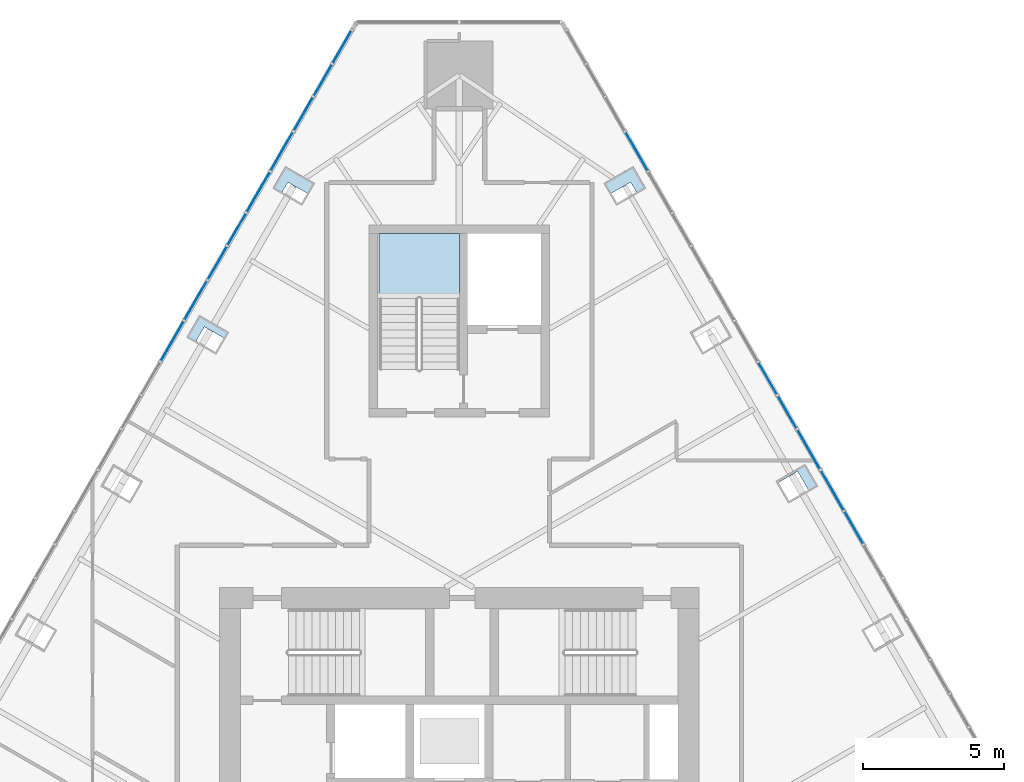
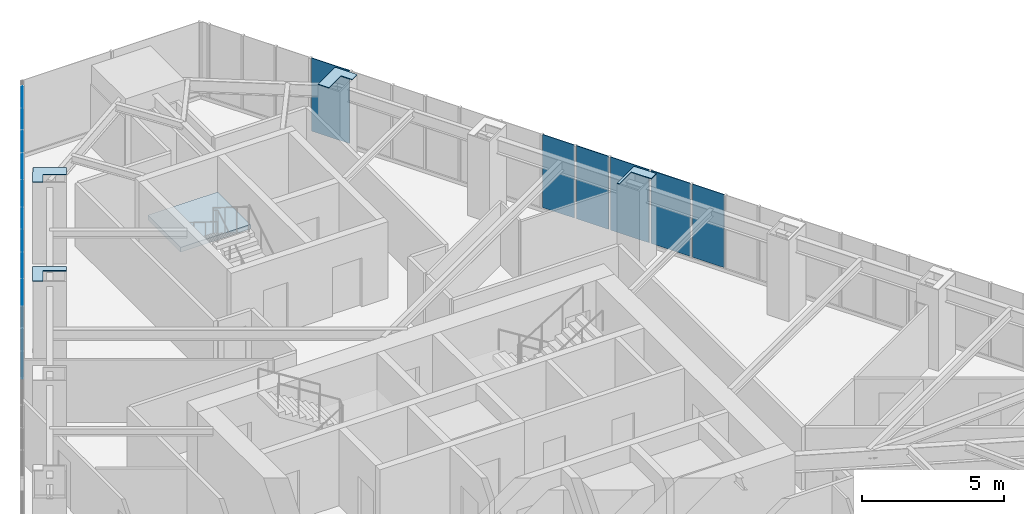
# One storey, part 13 of 20: 19 plates, 1 slab, 3 elements without a shape of their own.
"""IFC4 building model written with IfcOpenShell, lengths in metres."""

from ifc_helpers import new_model, si_unit, direction, frame, origin, place, context, subcontext, project, spatial, polyline, outline, extrude, material, layer, layer_set, type_object, element, aggregate, save


model = new_model("IFC4")

# Units and contexts
model_context = context("Model", 3, precision=1e-05, world=origin(), true_north=direction((0.0, 1.0)))
body_context = subcontext(model_context, "Body", "Model", "MODEL_VIEW")
ifc_project = project(units=[si_unit("LENGTHUNIT", "METRE"), si_unit("AREAUNIT", "SQUARE_METRE"), si_unit("VOLUMEUNIT", "CUBIC_METRE"), si_unit("PLANEANGLEUNIT", "RADIAN"), si_unit("MASSUNIT", "GRAM", prefix="KILO")], contexts=[model_context])

# Site, building, storey
site_placement = place(None, origin())
site = spatial("IfcSite", under=ifc_project, at=site_placement, CompositionType="ELEMENT")
building_placement = place(site_placement, origin())
building = spatial("IfcBuilding", under=site, at=building_placement, Name="Firuza Gate Tower and Library", CompositionType="ELEMENT")
storey_placement = place(building_placement, frame((0.0, 0.0, 305.60009765625)))
storey = spatial("IfcBuildingStorey", under=building, at=storey_placement, Name="L74", CompositionType="ELEMENT", Elevation=305.60009765625)

# Plates
ifc_material_1 = material(Name="Steel S355", Category="steel")
ifc_layer_1 = layer(ifc_material_1, 0.030029296875)
ifc_layer_set_1 = layer_set([ifc_layer_1], Name="Column infill plate 30 Steel S355")
plate_type_1 = type_object("IfcPlateType", Name="Column infill plate 30 Steel S355", PredefinedType="SHEET", material=ifc_layer_set_1)
placement_1 = place(storey_placement, frame((0.0, 0.0, 3.5)))
element("IfcPlate", 1, at=placement_1, inside=storey, type_object=plate_type_1, Name="Infill plate L74:E4", PredefinedType="SHEET", context=body_context, shape_type="SweptSolid", body=[
    extrude(outline(polyline([(86.219970703125, 85.51708984375), (86.263916015625, 85.440673828125), (86.9951171875, 85.863037109375), (87.401123046875, 85.15966796875), (87.709228515625, 85.337646484375), (87.25927734375, 86.116943359375), (86.219970703125, 85.51708984375)])), origin(), (0.0, 0.0, 1.0), 0.02978515625),
])
element("IfcPlate", 2, at=placement_1, inside=storey, type_object=plate_type_1, Name="Infill plate L74:E6", PredefinedType="SHEET", context=body_context, shape_type="SweptSolid", body=[
    extrude(outline(polyline([(80.1240234375, 96.07568359375), (80.343994140625, 95.694580078125), (81.0751953125, 96.11669921875), (81.30517578125, 95.71826171875), (81.61328125, 95.896240234375), (81.1630859375, 96.675537109375), (80.1240234375, 96.07568359375)])), origin(), (0.0, 0.0, 1.0), 0.02978515625),
])
element("IfcPlate", 3, at=placement_1, inside=storey, type_object=plate_type_1, Name="Infill plate L74:W1", PredefinedType="SHEET", context=body_context, shape_type="SweptSolid", body=[
    extrude(outline(polyline([(68.38671875, 95.896240234375), (68.69482421875, 95.71826171875), (68.9248046875, 96.11669921875), (69.656005859375, 95.694580078125), (69.8759765625, 96.07568359375), (68.8369140625, 96.675537109375), (68.38671875, 95.896240234375)])), origin(), (0.0, 0.0, 1.0), 0.02978515625),
])
element("IfcPlate", 4, at=placement_1, inside=storey, type_object=plate_type_1, Name="Infill plate L74:W2", PredefinedType="SHEET", context=body_context, shape_type="SweptSolid", body=[
    extrude(outline(polyline([(65.3388671875, 90.616943359375), (65.646728515625, 90.43896484375), (65.96484375, 90.98974609375), (66.696044921875, 90.567626953125), (66.828125, 90.79638671875), (65.788818359375, 91.396240234375), (65.3388671875, 90.616943359375)])), origin(), (0.0, 0.0, 1.0), 0.02978515625),
])

# Curtain wall, plates
ifc_material_2 = material(Name="Aluminium 6063-T6", Category="aluminium")
ifc_layer_2 = layer(ifc_material_2, 0.14990234375)
ifc_layer_set_2 = layer_set([ifc_layer_2], Name="Unitised curtain wall, residences")
curtain_wall_type = type_object("IfcCurtainWallType", Name="Unitised curtain wall, residences", PredefinedType="NOTDEFINED", material=ifc_layer_set_2)
placement_2 = place(storey_placement, origin())
curtain_wall_1 = element("IfcCurtainWall", 5, at=placement_2, inside=storey, type_object=curtain_wall_type, Name="CW3 L74 E face", PredefinedType="NOTDEFINED")
ifc_material_3 = material(Name="Fritted glass", Category="glass")
ifc_layer_3 = layer(ifc_material_3, 0.030029296875)
ifc_layer_set_3 = layer_set([ifc_layer_3], Name="Fritted glass unit, residences")
plate_type_2 = type_object("IfcPlateType", Name="Fritted glass unit, residences", PredefinedType="CURTAIN_PANEL", material=ifc_layer_set_3)
plate_5_placement = place(storey_placement, frame((88.63671875, 84.51123046875, 0.14990234375), z_axis=(0.866012320003, 0.50002266109, 0.0), x_axis=(-0.50002266109, 0.866012320003, 0.0)))
plate_5 = element("IfcPlate", 6, at=plate_5_placement, type_object=plate_type_2, Name="Glass unit", PredefinedType="CURTAIN_PANEL", context=body_context, shape_type="SweptSolid", body=[
    extrude(outline(polyline([(0.0, 0.0), (1.5956308075335583, 0.0), (1.5956308075335583, 3.1499023437499996), (0.0, 3.1499023437499996), (0.0, 0.0)])), origin(), (0.0, 0.0, -1.0), 0.030029296875),
])
plate_6_placement = place(storey_placement, frame((87.798828125, 85.962158203125, 0.14990234375), z_axis=(0.866052053466, 0.499953838557, 0.0), x_axis=(-0.499953838557, 0.866052053466, 0.0)))
plate_6 = element("IfcPlate", 7, at=plate_6_placement, type_object=plate_type_2, Name="Glass unit", PredefinedType="CURTAIN_PANEL", context=body_context, shape_type="SweptSolid", body=[
    extrude(outline(polyline([(0.0, 0.0), (1.5831539738440075, 0.0), (1.5831539738440075, 3.149902343750001), (0.0, 3.149902343750001), (0.0, 0.0)])), origin(), (0.0, 0.0, -1.0), 0.030029296875),
])
plate_7_placement = place(storey_placement, frame((81.6904296875, 96.542236328125, 0.14990234375), z_axis=(0.865997745606, 0.500047902311, 0.0), x_axis=(-0.500047902311, 0.865997745606, 0.0)))
plate_7 = element("IfcPlate", 8, at=plate_7_placement, type_object=plate_type_2, Name="Glass unit", PredefinedType="CURTAIN_PANEL", context=body_context, shape_type="SweptSolid", body=[
    extrude(outline(polyline([(0.0, 0.0), (1.5584444438197522, 0.0), (1.5584444438197522, 3.14990234375), (0.0, 3.14990234375), (0.0, 0.0)])), origin(), (0.0, 0.0, -1.0), 0.030029296875),
])

curtain_wall_2 = element("IfcCurtainWall", 9, at=placement_2, inside=storey, type_object=curtain_wall_type, Name="CW3 L74 W face", PredefinedType="NOTDEFINED")
plate_8_placement = place(storey_placement, frame((71.158203125, 101.476318359375, 0.14990234375), z_axis=(-0.865995042048, 0.500052584384, 0.0), x_axis=(-0.500052584384, -0.865995042048, 0.0)))
plate_8 = element("IfcPlate", 10, at=plate_8_placement, type_object=plate_type_2, Name="Glass unit", PredefinedType="CURTAIN_PANEL", context=body_context, shape_type="SweptSolid", body=[
    extrude(outline(polyline([(0.0, 0.0), (1.3016209226321132, 0.0), (1.3016209226321132, 3.14990234375), (0.0, 3.14990234375), (0.0, 0.0)])), origin(), (0.0, 0.0, -1.0), 0.030029296875),
])
plate_9_placement = place(storey_placement, frame((69.0888671875, 97.891845703125, 0.14990234375), z_axis=(-0.865997745606, 0.500047902311, 0.0), x_axis=(-0.500047902311, -0.865997745606, 0.0)))
plate_9 = element("IfcPlate", 11, at=plate_9_placement, type_object=plate_type_2, Name="Glass unit", PredefinedType="CURTAIN_PANEL", context=body_context, shape_type="SweptSolid", body=[
    extrude(outline(polyline([(0.0, 0.0), (1.5584444438197522, 0.0), (1.5584444438197522, 3.14990234375), (0.0, 3.14990234375), (0.0, 0.0)])), origin(), (0.0, 0.0, -1.0), 0.030029296875),
])
plate_10_placement = place(storey_placement, frame((68.26953125, 96.472900390625, 0.14990234375), z_axis=(-0.866027491634, 0.499996383721, 0.0), x_axis=(-0.499996383721, -0.866027491634, 0.0)))
plate_10 = element("IfcPlate", 12, at=plate_10_placement, type_object=plate_type_2, Name="Glass unit", PredefinedType="CURTAIN_PANEL", context=body_context, shape_type="SweptSolid", body=[
    extrude(outline(polyline([(0.0, 0.0), (1.6201289051774963, 0.0), (1.6201289051774963, 3.14990234375), (0.0, 3.14990234375), (0.0, 0.0)])), origin(), (0.0, 0.0, -1.0), 0.030029296875),
])
plate_11_placement = place(storey_placement, frame((66.040771484375, 92.612548828125, 0.14990234375), z_axis=(-0.866025114386, 0.500000501253, 0.0), x_axis=(-0.500000501253, -0.866025114386, 0.0)))
plate_11 = element("IfcPlate", 13, at=plate_11_placement, type_object=plate_type_2, Name="Glass unit", PredefinedType="CURTAIN_PANEL", context=body_context, shape_type="SweptSolid", body=[
    extrude(outline(polyline([(0.0, 0.0), (1.5707992065156178, 0.0), (1.5707992065156178, 3.14990234375), (0.0, 3.14990234375), (0.0, 0.0)])), origin(), (0.0, 0.0, -1.0), 0.030029296875),
])
plate_12_placement = place(storey_placement, frame((65.21533203125, 91.18310546875, 0.14990234375), z_axis=(-0.866038942563, 0.499976549414, 0.0), x_axis=(-0.499976549414, -0.866038942563, 0.0)))
plate_12 = element("IfcPlate", 14, at=plate_12_placement, type_object=plate_type_2, Name="Glass unit", PredefinedType="CURTAIN_PANEL", context=body_context, shape_type="SweptSolid", body=[
    extrude(outline(polyline([(0.0, 0.0), (1.6079855726565118, 0.0), (1.6079855726565118, 3.14990234375), (0.0, 3.14990234375), (0.0, 0.0)])), origin(), (0.0, 0.0, -1.0), 0.030029296875),
])

# Plate
ifc_material_4 = material(Name="Glazed ceramic tile")
ifc_layer_4 = layer(ifc_material_4, 0.030029296875)
ifc_layer_set_4 = layer_set([ifc_layer_4], Name="Opaque ceramic panel, residences")
plate_type_3 = type_object("IfcPlateType", Name="Opaque ceramic panel, residences", PredefinedType="CURTAIN_PANEL", material=ifc_layer_set_4)
plate_13_placement = place(storey_placement, frame((89.325927734375, 83.3173828125, 0.14990234375), z_axis=(0.865966403178, 0.500102178127, 0.0), x_axis=(-0.500102178127, 0.865966403178, 0.0)))
plate_13 = element("IfcPlate", 15, at=plate_13_placement, type_object=plate_type_3, Name="Opaque ceramic panel", PredefinedType="CURTAIN_PANEL", context=body_context, shape_type="SweptSolid", body=[
    extrude(outline(polyline([(0.0, 0.0), (1.2985627555797343, 0.0), (1.2985627555797343, 3.14990234375), (0.0, 3.14990234375), (0.0, 0.0)])), origin(), (0.0, 0.0, -1.0), 0.030029296875),
])

plate_14_placement = place(storey_placement, frame((86.96728515625, 87.402587890625, 0.14990234375), z_axis=(0.866046052485, 0.499964233696, 0.0), x_axis=(-0.499964233696, 0.866046052485, 0.0)))
plate_14 = element("IfcPlate", 16, at=plate_14_placement, type_object=plate_type_3, Name="Opaque ceramic panel", PredefinedType="CURTAIN_PANEL", context=body_context, shape_type="SweptSolid", body=[
    extrude(outline(polyline([(0.0, 0.0), (1.3111289447219925, 0.0), (1.3111289447219925, 3.149902343750001), (0.0, 3.149902343750001), (0.0, 0.0)])), origin(), (0.0, 0.0, -1.0), 0.030029296875),
])

plate_15_placement = place(storey_placement, frame((86.271728515625, 88.607177734375, 0.14990234375), z_axis=(0.866062325935, 0.499936043505, 0.0), x_axis=(-0.499936043505, 0.866062325935, 0.0)))
plate_15 = element("IfcPlate", 17, at=plate_15_placement, type_object=plate_type_3, Name="Opaque ceramic panel", PredefinedType="CURTAIN_PANEL", context=body_context, shape_type="SweptSolid", body=[
    extrude(outline(polyline([(0.0, 0.0), (1.286297346639458, 0.0), (1.286297346639458, 3.14990234375), (0.0, 3.14990234375), (0.0, 0.0)])), origin(), (0.0, 0.0, -1.0), 0.030029296875),
])

aggregate(curtain_wall_1, [plate_13, plate_5, plate_6, plate_14, plate_15, plate_7])

plate_16_placement = place(storey_placement, frame((70.46728515625, 100.27978515625, 0.14990234375), z_axis=(-0.86607923909, 0.499906742921, 0.0), x_axis=(-0.499906742921, -0.86607923909, 0.0)))
plate_16 = element("IfcPlate", 18, at=plate_16_placement, type_object=plate_type_3, Name="Opaque ceramic panel", PredefinedType="CURTAIN_PANEL", context=body_context, shape_type="SweptSolid", body=[
    extrude(outline(polyline([(0.0, 0.0), (1.2614657499734259, 0.0), (1.2614657499734259, 3.14990234375), (0.0, 3.14990234375), (0.0, 0.0)])), origin(), (0.0, 0.0, -1.0), 0.030029296875),
])

plate_17_placement = place(storey_placement, frame((69.796630859375, 99.117919921875, 0.14990234375), z_axis=(-0.865984687501, 0.500070516041, 0.0), x_axis=(-0.500070516041, -0.865984687501, 0.0)))
plate_17 = element("IfcPlate", 19, at=plate_17_placement, type_object=plate_type_3, Name="Opaque ceramic panel", PredefinedType="CURTAIN_PANEL", context=body_context, shape_type="SweptSolid", body=[
    extrude(outline(polyline([(0.0, 0.0), (1.335749116520676, 0.0), (1.335749116520676, 3.14990234375), (0.0, 3.14990234375), (0.0, 0.0)])), origin(), (0.0, 0.0, -1.0), 0.030029296875),
])

plate_18_placement = place(storey_placement, frame((67.41943359375, 95.00048828125, 0.14990234375), z_axis=(-0.866029209911, 0.499993407537, 0.0), x_axis=(-0.499993407537, -0.866029209911, 0.0)))
plate_18 = element("IfcPlate", 20, at=plate_18_placement, type_object=plate_type_3, Name="Opaque ceramic panel", PredefinedType="CURTAIN_PANEL", context=body_context, shape_type="SweptSolid", body=[
    extrude(outline(polyline([(0.0, 0.0), (1.2739425780891271, 0.0), (1.2739425780891271, 3.149902343750001), (0.0, 3.149902343750001), (0.0, 0.0)])), origin(), (0.0, 0.0, -1.0), 0.030029296875),
])

plate_19_placement = place(storey_placement, frame((66.742431640625, 93.828125, 0.14990234375), z_axis=(-0.866078079006, 0.499908752739, 0.0), x_axis=(-0.499908752739, -0.866078079006, 0.0)))
plate_19 = element("IfcPlate", 21, at=plate_19_placement, type_object=plate_type_3, Name="Opaque ceramic panel", PredefinedType="CURTAIN_PANEL", context=body_context, shape_type="SweptSolid", body=[
    extrude(outline(polyline([(0.0, 0.0), (1.3234837160294044, 0.0), (1.3234837160294044, 3.14990234375), (0.0, 3.14990234375), (0.0, 0.0)])), origin(), (0.0, 0.0, -1.0), 0.030029296875),
])

aggregate(curtain_wall_2, [plate_8, plate_16, plate_17, plate_9, plate_10, plate_18, plate_19, plate_11, plate_12])

# Stair, slab
ifc_material_5 = material(Name="Concrete C35/45", Category="concrete")
stair_type = type_object("IfcStairType", Name="Exit stair ST17", PredefinedType="HALF_TURN_STAIR", material=ifc_material_5)
stair = element("IfcStair", 22, at=placement_2, inside=storey, type_object=stair_type, Name="L74 Stair ST3", PredefinedType="HALF_TURN_STAIR")
ifc_material_6 = material(Name="Concrete C35/45", Category="concrete")
ifc_layer_5 = layer(ifc_material_6, 0.199951171875)
ifc_layer_set_5 = layer_set([ifc_layer_5], Name="Stair landing 200")
slab_type = type_object("IfcSlabType", Name="Stair landing 200", PredefinedType="LANDING", material=ifc_layer_set_5)
slab_placement = place(storey_placement, frame((0.0, 0.0, 1.5498046875)))
slab = element("IfcSlab", 23, at=slab_placement, type_object=slab_type, Name="ST3 landing 1", PredefinedType="LANDING", context=body_context, shape_type="SweptSolid", body=[
    extrude(outline(polyline([(75.0, 91.989990234375), (75.0, 94.300048828125), (72.159912109375, 94.300048828125), (72.159912109375, 91.989990234375), (75.0, 91.989990234375)])), origin(), (0.0, 0.0, 1.0), 0.2001953125),
])
aggregate(stair, [slab])

save(model, "model.ifc")
